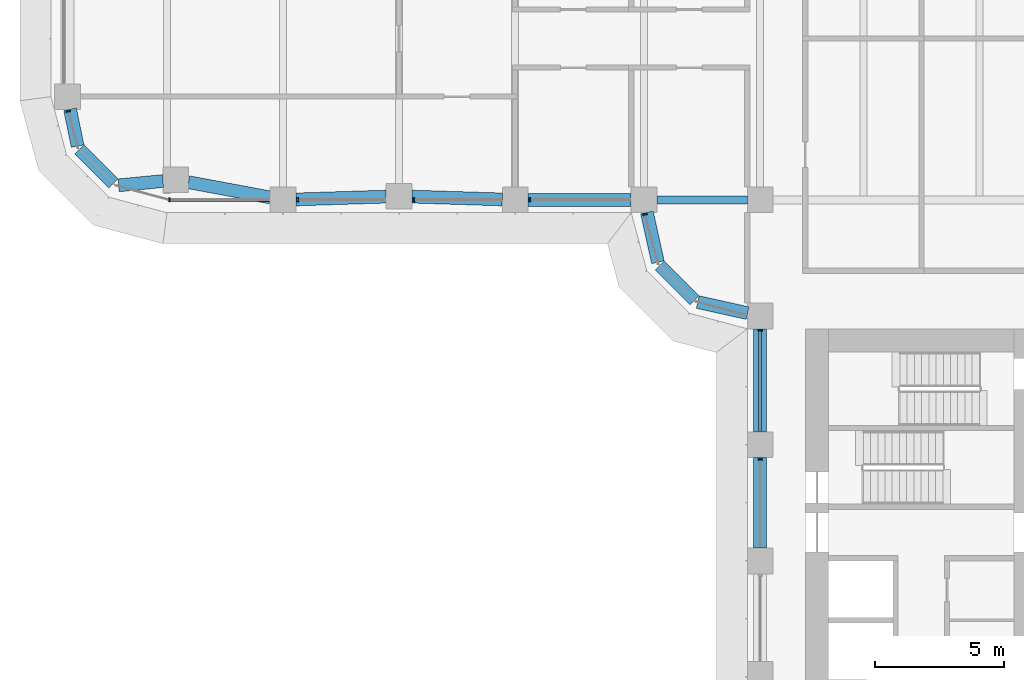
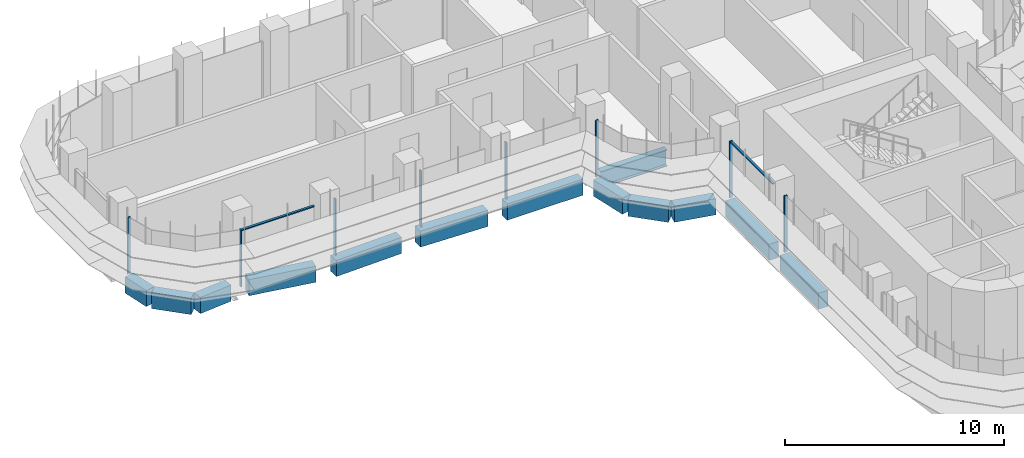
# One storey, part 3 of 23: 13 beams, 10 members, 4 elements without a shape of their own.
"""IFC4 building model written with IfcOpenShell, lengths in metres."""

import ifcopenshell
import ifcopenshell.guid

model = None  # the IFC model being written
_history = None  # IfcOwnerHistory: only IFC2X3 demands one
_inside = {}  # id of a spatial element -> (the spatial element, [elements in it])
_under = {}  # id of a project, library or spatial element -> (it, [spatial elements below it])
_declared = {}  # id of a project -> (the project, [libraries it declares])
_typed = {}  # id of a type object -> (the type object, [elements of that type])
_made_of = {}  # id of a material, layer set ... -> (it, [elements and type objects made of it])


def new_model(schema):
    """Start an empty IFC model of exactly this schema.

    Asked for "IFC4X3", IfcOpenShell would pick the latest addendum, in which some entities
    have other attributes; the version numbers below select the first issue.
    IFC2X3 requires an IfcOwnerHistory on every rooted entity: one is made here for all.
    """
    global model, _history
    if schema == "IFC4X3":
        model = ifcopenshell.file(schema_version=(4, 3, 0, 0))
    else:
        model = ifcopenshell.file(schema=schema)
    _inside.clear()
    _under.clear()
    _declared.clear()
    _typed.clear()
    _made_of.clear()
    _history = None
    if model.schema == "IFC2X3":
        org = make("IfcOrganization", Name="unknown")
        user = make(
            "IfcPersonAndOrganization",
            ThePerson=make("IfcPerson", FamilyName="unknown"),
            TheOrganization=org,
        )
        app = make(
            "IfcApplication",
            ApplicationDeveloper=org,
            Version="unknown",
            ApplicationFullName="unknown",
            ApplicationIdentifier="unknown",
        )
        _history = make(
            "IfcOwnerHistory",
            OwningUser=user,
            OwningApplication=app,
            ChangeAction="ADDED",
            CreationDate=0,
        )
    return model


def make(cls, **values):
    """One entity of the class cls with the attributes given. An attribute that is None is left unset."""
    return model.create_entity(
        cls, **{name: value for name, value in values.items() if value is not None}
    )


def rooted(cls, **values):
    """An entity with a GlobalId (a new one), such as an element, a storey or a relation."""
    return make(cls, GlobalId=ifcopenshell.guid.new(), OwnerHistory=_history, **values)


def si_unit(unit_type, name, prefix=None):
    """IfcSIUnit, for example si_unit("LENGTHUNIT", "METRE", prefix="MILLI")."""
    return make("IfcSIUnit", UnitType=unit_type, Prefix=prefix, Name=name)


def assignment(units):
    """IfcUnitAssignment: the units of a project."""
    return None if units is None else make("IfcUnitAssignment", Units=units)


def point(xyz):
    """IfcCartesianPoint."""
    return None if xyz is None else make("IfcCartesianPoint", Coordinates=xyz)


def direction(xyz):
    """IfcDirection."""
    return None if xyz is None else make("IfcDirection", DirectionRatios=xyz)


def frame(location, z_axis=None, x_axis=None):
    """IfcAxis2Placement3D, a coordinate frame: its origin and axes. An axis left out is left unset."""
    return make(
        "IfcAxis2Placement3D",
        Location=point(location),
        Axis=direction(z_axis),
        RefDirection=direction(x_axis),
    )


def frame_2d(location, x_axis=None):
    """IfcAxis2Placement2D, a coordinate frame in the plane: its origin and x axis."""
    return make(
        "IfcAxis2Placement2D", Location=point(location), RefDirection=direction(x_axis)
    )


def origin():
    """The frame at (0, 0, 0) with its axes left unset."""
    return frame((0.0, 0.0, 0.0))


def origin_2d():
    """The frame at (0, 0) in the plane with its x axis left unset."""
    return frame_2d((0.0, 0.0))


def place(relative_to, where):
    """IfcLocalPlacement: puts the frame where relative to a parent placement (None: the world)."""
    return make(
        "IfcLocalPlacement", PlacementRelTo=relative_to, RelativePlacement=where
    )


def context(
    kind, dimensions, precision=None, world=None, true_north=None, identifier=None
):
    """IfcGeometricRepresentationContext, for example the 3D "Model" context."""
    return make(
        "IfcGeometricRepresentationContext",
        ContextIdentifier=identifier,
        ContextType=kind,
        CoordinateSpaceDimension=dimensions,
        Precision=precision,
        WorldCoordinateSystem=world,
        TrueNorth=true_north,
    )


def subcontext(parent, identifier, kind, view, scale=None):
    """IfcGeometricRepresentationSubContext, for example "Body" below "Model"."""
    return make(
        "IfcGeometricRepresentationSubContext",
        ContextIdentifier=identifier,
        ContextType=kind,
        ParentContext=parent,
        TargetScale=scale,
        TargetView=view,
    )


def project(units=None, contexts=None):
    """IfcProject with its units and contexts."""
    return rooted(
        "IfcProject",
        Name="project",
        RepresentationContexts=contexts,
        UnitsInContext=assignment(units),
    )


def spatial(cls, under=None, at=None, **own):
    """A site, building, storey or space (cls), placed at a placement, below another one or the project."""
    s = rooted(cls, ObjectPlacement=at, **own)
    if under is not None:
        _under.setdefault(under.id(), (under, []))[1].append(s)
    return s


def polyline(points):
    """IfcPolyline through the points."""
    return make("IfcPolyline", Points=[point(p) for p in points])


def profile(cls, at=None, kind="AREA", **sizes):
    """A parametric profile (cls). Its sizes go by their IFC names, for example OverallWidth=200.0."""
    return make(cls, ProfileType=kind, Position=at, **sizes)


def rectangle(**sizes):
    """IfcRectangleProfileDef."""
    return profile("IfcRectangleProfileDef", **sizes)


def i_section(**sizes):
    """IfcIShapeProfileDef."""
    return profile("IfcIShapeProfileDef", **sizes)


def outline(outer, holes=None, kind="AREA"):
    """IfcArbitraryClosedProfileDef: a profile drawn as a closed curve; with holes, ...WithVoids."""
    if holes is None:
        return make("IfcArbitraryClosedProfileDef", ProfileType=kind, OuterCurve=outer)
    return make(
        "IfcArbitraryProfileDefWithVoids",
        ProfileType=kind,
        OuterCurve=outer,
        InnerCurves=holes,
    )


def extrude(swept, where, along, depth):
    """IfcExtrudedAreaSolid: the profile swept, set in the frame where, extruded along a direction by depth."""
    return make(
        "IfcExtrudedAreaSolid",
        SweptArea=swept,
        Position=where,
        ExtrudedDirection=direction(along),
        Depth=depth,
    )


def shape(context_of_items, identifier, shape_type, items):
    """IfcShapeRepresentation: the items that make up one representation, for example the "Body"."""
    return make(
        "IfcShapeRepresentation",
        ContextOfItems=context_of_items,
        RepresentationIdentifier=identifier,
        RepresentationType=shape_type,
        Items=items,
    )


def source(mapping_origin, context_of_items, identifier, shape_type, items):
    """IfcRepresentationMap: a shape defined once, which mapped items show again and again."""
    return make(
        "IfcRepresentationMap",
        MappingOrigin=mapping_origin,
        MappedRepresentation=shape(context_of_items, identifier, shape_type, items),
    )


def transform(
    local_origin,
    x_axis=None,
    y_axis=None,
    z_axis=None,
    scale=None,
    scale2=None,
    scale3=None,
    uniform=True,
):
    """IfcCartesianTransformationOperator3D, or its non-uniform kind. x_axis, y_axis, z_axis: its Axis1, 2, 3."""
    if uniform:
        return make(
            "IfcCartesianTransformationOperator3D",
            Axis1=direction(x_axis),
            Axis2=direction(y_axis),
            LocalOrigin=point(local_origin),
            Scale=scale,
            Axis3=direction(z_axis),
        )
    return make(
        "IfcCartesianTransformationOperator3DnonUniform",
        Axis1=direction(x_axis),
        Axis2=direction(y_axis),
        LocalOrigin=point(local_origin),
        Scale=scale,
        Axis3=direction(z_axis),
        Scale2=scale2,
        Scale3=scale3,
    )


def mapped(mapping_source, mapping_target):
    """IfcMappedItem: shows the shape of a source again, moved by a transform."""
    return make(
        "IfcMappedItem", MappingSource=mapping_source, MappingTarget=mapping_target
    )


def material(Name=None, Category=None):
    """IfcMaterial."""
    return make("IfcMaterial", Name=Name, Category=Category)


def material_profile(
    of_material, cross_section, Name=None, Category=None, Priority=None
):
    """IfcMaterialProfile: a cross section and its material."""
    return make(
        "IfcMaterialProfile",
        Name=Name,
        Material=of_material,
        Profile=cross_section,
        Priority=Priority,
        Category=Category,
    )


def profile_set(profiles, Name=None, composite=None):
    """IfcMaterialProfileSet."""
    return make(
        "IfcMaterialProfileSet",
        Name=Name,
        MaterialProfiles=profiles,
        CompositeProfile=composite,
    )


def made_of(thing, what):
    """Note that an element or type object is made of a material, layer set ...; save() writes the relation."""
    if what is not None:
        _made_of.setdefault(what.id(), (what, []))[1].append(thing)
    return thing


def type_object(cls, material=None, **own):
    """A type object (cls), such as IfcWallType, which elements share."""
    return made_of(rooted(cls, **own), material)


def element(
    cls,
    number,
    at=None,
    inside=None,
    cuts=None,
    type_object=None,
    material=None,
    context=None,
    identifier="Body",
    shape_type=None,
    held_by="IfcProductDefinitionShape",
    body=None,
    shapes=None,
    **own,
):
    """One element of the class cls, such as IfcWall. Its Tag is "e" and its number.

    at: its placement. inside: the storey or other place that contains it. cuts: it is an
    opening in that element (IfcRelVoidsElement). A single representation is given by context,
    identifier, shape_type and body (its items); several are given by shapes. held_by: the class
    of the entity that holds the representations. save() writes the other relations.
    """
    e = rooted(cls, Tag="e%d" % number, ObjectPlacement=at, **own)
    if body is not None:
        shapes = [shape(context, identifier, shape_type, body)]
    if shapes is not None:
        e.Representation = make(held_by, Representations=shapes)
    if inside is not None:
        _inside.setdefault(inside.id(), (inside, []))[1].append(e)
    if cuts is not None:
        rooted(
            "IfcRelVoidsElement", RelatingBuildingElement=cuts, RelatedOpeningElement=e
        )
    if type_object is not None:
        _typed.setdefault(type_object.id(), (type_object, []))[1].append(e)
    return made_of(e, material)


def aggregate(whole, parts):
    """IfcRelAggregates: a whole, such as a stair, and the parts it consists of."""
    return rooted("IfcRelAggregates", RelatingObject=whole, RelatedObjects=parts)


def save(model, path):
    """Write the relations noted so far, then the file.

    IfcRelAggregates (storeys below a building ...), IfcRelContainedInSpatialStructure (elements
    in a storey), IfcRelDefinesByType, IfcRelAssociatesMaterial and IfcRelDeclares: one each for
    every whole, place, type object, material and project.
    """
    for whole, parts in _under.values():
        aggregate(whole, parts)
    for where, things in _inside.values():
        rooted(
            "IfcRelContainedInSpatialStructure",
            RelatedElements=things,
            RelatingStructure=where,
        )
    for kind, things in _typed.values():
        rooted("IfcRelDefinesByType", RelatedObjects=things, RelatingType=kind)
    for what, things in _made_of.values():
        rooted("IfcRelAssociatesMaterial", RelatedObjects=things, RelatingMaterial=what)
    for by, libraries in _declared.values():
        rooted("IfcRelDeclares", RelatingContext=by, RelatedDefinitions=libraries)
    model.write(path)


model = new_model("IFC4")

# Units and contexts
model_context = context("Model", 3, precision=1e-05, world=origin(), true_north=direction((0.0, 1.0)))
body_context = subcontext(model_context, "Body", "Model", "MODEL_VIEW")
ifc_project = project(units=[si_unit("LENGTHUNIT", "METRE"), si_unit("AREAUNIT", "SQUARE_METRE"), si_unit("VOLUMEUNIT", "CUBIC_METRE"), si_unit("PLANEANGLEUNIT", "RADIAN"), si_unit("MASSUNIT", "GRAM", prefix="KILO")], contexts=[model_context])

# Site, building, storey
site_placement = place(None, origin())
site = spatial("IfcSite", under=ifc_project, at=site_placement, CompositionType="ELEMENT")
building_placement = place(site_placement, origin())
building = spatial("IfcBuilding", under=site, at=building_placement, Name="Zarbagh Exchange Tower", CompositionType="ELEMENT")
storey_placement = place(building_placement, frame((0.0, 0.0, 56.39990234375)))
storey = spatial("IfcBuildingStorey", under=building, at=storey_placement, Name="L12", CompositionType="ELEMENT", Elevation=56.39990234375)

# Beams
ifc_material_1 = material(Name="Steel ASTM A992 Gr 50", Category="steel")
ifc_material_profile_1 = material_profile(ifc_material_1, i_section(OverallWidth=0.3046875, OverallDepth=0.91943359375, WebThickness=0.017333984375, FlangeThickness=0.02783203125, at=origin_2d()), Name="W36X170")
ifc_profile_set_1 = profile_set([ifc_material_profile_1], Name="Steel ASTM A992 Gr 50")
beam_type_1 = type_object("IfcBeamType", Name="Floor girder W36X170", PredefinedType="BEAM", material=ifc_profile_set_1)
beam_1_placement = place(storey_placement, frame((-10.25, -6.25, -0.609619140625), z_axis=(1.0, 0.0, 0.0), x_axis=(0.0, 1.0, 0.0)))
element("IfcBeam", 1, at=beam_1_placement, inside=storey, type_object=beam_type_1, Name="Steel girder", PredefinedType="BEAM", context=body_context, shape_type="SweptSolid", body=[
    extrude(i_section(OverallWidth=0.3046875, OverallDepth=0.91943359375, WebThickness=0.017333984375, FlangeThickness=0.02783203125, at=origin_2d()), origin(), (0.0, 0.0, 1.0), 3.5),
])
ifc_material_2 = material(Name="Concrete C60/75", Category="concrete")
ifc_material_profile_2 = material_profile(ifc_material_2, rectangle(XDim=0.5, YDim=0.89990234375, at=origin_2d()), Name="RC spandrel beam 500 x 900 C60/75")
ifc_profile_set_2 = profile_set([ifc_material_profile_2], Name="Concrete C60/75")
beam_type_2 = type_object("IfcBeamType", Name="RC spandrel beam 500 x 900 C60/75", PredefinedType="SPANDREL", material=ifc_profile_set_2)
beam_2_placement = place(storey_placement, frame((-6.25, -19.75, -0.599853515625), z_axis=(0.0, 1.0, 0.0), x_axis=(-1.0, 0.0, 0.0)))
element("IfcBeam", 2, at=beam_2_placement, inside=storey, type_object=beam_type_2, Name="RC spandrel beam", PredefinedType="SPANDREL", context=body_context, shape_type="SweptSolid", body=[
    extrude(rectangle(XDim=0.5, YDim=0.89990234375, at=origin_2d()), origin(), (0.0, 0.0, 1.0), 3.5),
])
beam_3_placement = place(storey_placement, frame((-6.25, -15.25, -0.599853515625), z_axis=(0.0, 1.0, 0.0), x_axis=(-1.0, 0.0, 0.0)))
element("IfcBeam", 3, at=beam_3_placement, inside=storey, type_object=beam_type_2, Name="RC spandrel beam", PredefinedType="SPANDREL", context=body_context, shape_type="SweptSolid", body=[
    extrude(rectangle(XDim=0.5, YDim=0.89990234375, at=origin_2d()), origin(), (0.0, 0.0, 1.0), 4.0),
])
beam_4_placement = place(storey_placement, frame((-6.73828125, -10.64208984375, -0.599853515625), z_axis=(-0.976375426825, 0.216081063242, 0.0), x_axis=(-0.216081063242, -0.976375426825, 0.0)))
element("IfcBeam", 4, at=beam_4_placement, inside=storey, type_object=beam_type_2, Name="RC spandrel beam", PredefinedType="SPANDREL", context=body_context, shape_type="SweptSolid", body=[
    extrude(rectangle(XDim=0.5, YDim=0.89990234375, at=origin_2d()), origin(), (0.0, 0.0, 1.0), 1.978271484375),
])
beam_5_placement = place(storey_placement, frame((-8.792724609375, -10.147216796875, -0.599853515625), z_axis=(-0.707106781187, 0.707106781187, 0.0), x_axis=(-0.707106781187, -0.707106781187, 0.0)))
element("IfcBeam", 5, at=beam_5_placement, inside=storey, type_object=beam_type_2, Name="RC spandrel beam", PredefinedType="SPANDREL", context=body_context, shape_type="SweptSolid", body=[
    extrude(rectangle(XDim=0.5, YDim=0.89990234375, at=origin_2d()), origin(), (0.0, 0.0, 1.0), 1.91552734375),
])
beam_6_placement = place(storey_placement, frame((-10.214599609375, -8.669921875, -0.599853515625), z_axis=(-0.216081063242, 0.976375426825, 0.0), x_axis=(-0.976375426825, -0.216081063242, 0.0)))
element("IfcBeam", 6, at=beam_6_placement, inside=storey, type_object=beam_type_2, Name="RC spandrel beam", PredefinedType="SPANDREL", context=body_context, shape_type="SweptSolid", body=[
    extrude(rectangle(XDim=0.5, YDim=0.89990234375, at=origin_2d()), origin(), (0.0, 0.0, 1.0), 1.978271484375),
])
beam_7_placement = place(storey_placement, frame((-11.25, -6.25, -0.599853515625), z_axis=(-1.0, 0.0, 0.0), x_axis=(0.0, -1.0, 0.0)))
element("IfcBeam", 7, at=beam_7_placement, inside=storey, type_object=beam_type_2, Name="RC spandrel beam", PredefinedType="SPANDREL", context=body_context, shape_type="SweptSolid", body=[
    extrude(rectangle(XDim=0.5, YDim=0.89990234375, at=origin_2d()), origin(), (0.0, 0.0, 1.0), 4.0),
])
for number, where, z_axis, x_axis, name in (
    (8, (-16.249755859375, -6.234619140625, -0.599853515625), (-0.999514385708, 0.031160756759, 0.0), (-0.031160756759, -0.999514385708, 0.0), "RC spandrel beam"),
    (9, (-20.749755859375, -6.12548828125, -0.599853515625), (-0.999514385708, -0.031160756759, 0.0), (0.031160756759, -0.999514385708, 0.0), "RC spandrel beam"),
):
    element("IfcBeam", number, at=place(storey_placement, frame(where, z_axis=z_axis, x_axis=x_axis)), inside=storey, type_object=beam_type_2, Name=name, PredefinedType="SPANDREL", context=body_context, shape_type="SweptSolid", body=[
        extrude(rectangle(XDim=0.5, YDim=0.89990234375, at=origin_2d()), origin(), (0.0, 0.0, 1.0), 3.502197265625),
    ])
beam_8_placement = place(storey_placement, frame((-25.241455078125, -6.158447265625, -0.599853515625), z_axis=(-0.983069300761, 0.183234139565, 0.0), x_axis=(-0.183234139565, -0.983069300761, 0.0)))
element("IfcBeam", 10, at=beam_8_placement, inside=storey, type_object=beam_type_2, Name="RC spandrel beam", PredefinedType="SPANDREL", context=body_context, shape_type="SweptSolid", body=[
    extrude(rectangle(XDim=0.5, YDim=0.89990234375, at=origin_2d()), origin(), (0.0, 0.0, 1.0), 3.229736328125),
])
beam_9_placement = place(storey_placement, frame((-29.40576171875, -5.522705078125, -0.599853515625), z_axis=(-0.995431032456, -0.095483294999, 0.0), x_axis=(0.095483294999, -0.995431032456, 0.0)))
element("IfcBeam", 11, at=beam_9_placement, inside=storey, type_object=beam_type_2, Name="RC spandrel beam", PredefinedType="SPANDREL", context=body_context, shape_type="SweptSolid", body=[
    extrude(rectangle(XDim=0.5, YDim=0.89990234375, at=origin_2d()), origin(), (0.0, 0.0, 1.0), 1.725830078125),
])
beam_10_placement = place(storey_placement, frame((-31.324462890625, -5.615478515625, -0.599853515625), z_axis=(-0.707172099812, 0.707041456527, 0.0), x_axis=(-0.707041456527, -0.707172099812, 0.0)))
element("IfcBeam", 12, at=beam_10_placement, inside=storey, type_object=beam_type_2, Name="RC spandrel beam", PredefinedType="SPANDREL", context=body_context, shape_type="SweptSolid", body=[
    extrude(rectangle(XDim=0.5, YDim=0.89990234375, at=origin_2d()), origin(), (0.0, 0.0, 1.0), 1.86865234375),
])
beam_11_placement = place(storey_placement, frame((-32.714111328125, -4.16796875, -0.599853515625), z_axis=(-0.202068589164, 0.9793713725, 0.0), x_axis=(-0.9793713725, -0.202068589164, 0.0)))
element("IfcBeam", 13, at=beam_11_placement, inside=storey, type_object=beam_type_2, Name="RC spandrel beam", PredefinedType="SPANDREL", context=body_context, shape_type="SweptSolid", body=[
    extrude(rectangle(XDim=0.5, YDim=0.89990234375, at=origin_2d()), origin(), (0.0, 0.0, 1.0), 1.458251953125),
])

# Curtain wall, member
ifc_material_3 = material(Name="Anodised aluminium frame and glazing", Category="aluminium")
curtain_wall_type = type_object("IfcCurtainWallType", Name="CWA Ribbon glazing, lower zones", PredefinedType="NOTDEFINED", material=ifc_material_3)
curtain_wall_1_placement = place(storey_placement, origin())
curtain_wall_1 = element("IfcCurtainWall", 14, at=curtain_wall_1_placement, inside=storey, type_object=curtain_wall_type, Name="CWA37 curtain wall", PredefinedType="NOTDEFINED")
ifc_material_4 = material(Name="Anodised aluminium frame", Category="aluminium")
member_type_1 = type_object("IfcMemberType", Name="MUA Mullion, anodised aluminium frame", PredefinedType="MULLION", material=ifc_material_4)
shared_shape_1 = source(origin(), body_context, "Body", "SweptSolid", [
    extrude(outline(polyline([(0.0, -0.080078125), (0.06005859375, -0.080078125), (0.06005859375, 0.080078125), (0.0, 0.080078125), (0.0, -0.080078125)])), origin(), (0.0, 0.0, 1.0), 3.14990234375),
])
placement = place(storey_placement, origin())
member_1 = element("IfcMember", 15, at=placement, type_object=member_type_1, Name="CWA37 mullion 1.1", PredefinedType="MULLION", context=body_context, shape_type="MappedRepresentation", body=[
    mapped(shared_shape_1, transform((-33.087646484375, -2.7900390625, 0.0), x_axis=(0.258824779902, -0.965924289636, 0.0), y_axis=(0.965924289636, 0.258824779902, 0.0), z_axis=(0.0, 0.0, 1.0))),
])
aggregate(curtain_wall_1, [member_1])

# Curtain wall, members
curtain_wall_2_placement = place(storey_placement, origin())
curtain_wall_2 = element("IfcCurtainWall", 16, at=curtain_wall_2_placement, inside=storey, type_object=curtain_wall_type, Name="CWA40 curtain wall", PredefinedType="NOTDEFINED")
member_2 = element("IfcMember", 17, at=placement, type_object=member_type_1, Name="CWA40 mullion 1.1", PredefinedType="MULLION", context=body_context, shape_type="MappedRepresentation", body=[
    mapped(shared_shape_1, transform((-29.18408203125, -6.25, 0.0), x_axis=(1.0, 0.0, 0.0), y_axis=(0.0, 1.0, 0.0), z_axis=(0.0, 0.0, 1.0))),
])
member_3 = element("IfcMember", 18, at=placement, type_object=member_type_1, Name="CWA40 mullion 2.1", PredefinedType="MULLION", context=body_context, shape_type="MappedRepresentation", body=[
    mapped(shared_shape_1, transform((-24.2099609375, -6.25, 0.0), x_axis=(1.0, 0.0, 0.0), y_axis=(0.0, 1.0, 0.0), z_axis=(0.0, 0.0, 1.0))),
])
member_4 = element("IfcMember", 19, at=placement, type_object=member_type_1, Name="CWA40 mullion 3.1", PredefinedType="MULLION", context=body_context, shape_type="MappedRepresentation", body=[
    mapped(shared_shape_1, transform((-19.7099609375, -6.25, 0.0), x_axis=(1.0, 0.0, 0.0), y_axis=(0.0, 1.0, 0.0), z_axis=(0.0, 0.0, 1.0))),
])
member_5 = element("IfcMember", 20, at=placement, type_object=member_type_1, Name="CWA40 mullion 4.1", PredefinedType="MULLION", context=body_context, shape_type="MappedRepresentation", body=[
    mapped(shared_shape_1, transform((-15.2099609375, -6.25, 0.0), x_axis=(1.0, 0.0, 0.0), y_axis=(0.0, 1.0, 0.0), z_axis=(0.0, 0.0, 1.0))),
])

# Curtain wall, member
curtain_wall_3_placement = place(storey_placement, origin())
curtain_wall_3 = element("IfcCurtainWall", 21, at=curtain_wall_3_placement, inside=storey, type_object=curtain_wall_type, Name="CWA41 curtain wall", PredefinedType="NOTDEFINED")
member_6 = element("IfcMember", 22, at=placement, type_object=member_type_1, Name="CWA41 mullion 1.1", PredefinedType="MULLION", context=body_context, shape_type="MappedRepresentation", body=[
    mapped(shared_shape_1, transform((-10.7216796875, -6.7900390625, 0.0), x_axis=(0.258824779902, -0.965924289636, 0.0), y_axis=(0.965924289636, 0.258824779902, 0.0), z_axis=(0.0, 0.0, 1.0))),
])
aggregate(curtain_wall_3, [member_6])

# Curtain wall, members
curtain_wall_4_placement = place(storey_placement, origin())
curtain_wall_4 = element("IfcCurtainWall", 23, at=curtain_wall_4_placement, inside=storey, type_object=curtain_wall_type, Name="CWA44 curtain wall", PredefinedType="NOTDEFINED")
member_7 = element("IfcMember", 24, at=placement, type_object=member_type_1, Name="CWA44 mullion 1.1", PredefinedType="MULLION", context=body_context, shape_type="MappedRepresentation", body=[
    mapped(shared_shape_1, transform((-6.25, -11.2900390625, 0.0), x_axis=(0.0, -1.0, 0.0), y_axis=(1.0, 0.0, 0.0), z_axis=(0.0, 0.0, 1.0))),
])
member_8 = element("IfcMember", 25, at=placement, type_object=member_type_1, Name="CWA44 mullion 2.1", PredefinedType="MULLION", context=body_context, shape_type="MappedRepresentation", body=[
    mapped(shared_shape_1, transform((-6.25, -16.2900390625, 0.0), x_axis=(0.0, -1.0, 0.0), y_axis=(1.0, 0.0, 0.0), z_axis=(0.0, 0.0, 1.0))),
])
member_type_2 = type_object("IfcMemberType", Name="TRA Transom, anodised aluminium frame", PredefinedType="USERDEFINED", material=ifc_material_4)
shared_shape_2 = source(origin(), body_context, "Body", "SweptSolid", [
    extrude(outline(polyline([(-0.06005859375, -0.06005859375), (0.0, -0.06005859375), (0.0, 0.06005859375), (-0.06005859375, 0.06005859375), (-0.06005859375, -0.06005859375)])), origin(), (0.0, 0.0, 1.0), 3.860107421875),
])
member_9 = element("IfcMember", 26, at=placement, type_object=member_type_2, Name="CWA44 transom 1.1", ObjectType="TRANSOM", PredefinedType="USERDEFINED", context=body_context, shape_type="MappedRepresentation", body=[
    mapped(shared_shape_2, transform((-6.25, -11.35009765625, 3.150146484375), x_axis=(0.0, 0.0, 1.0), y_axis=(-1.0, 0.0, 0.0), z_axis=(0.0, -1.0, 0.0))),
])
aggregate(curtain_wall_4, [member_7, member_9, member_8])

# Member
shared_shape_3 = source(origin(), body_context, "Body", "SweptSolid", [
    extrude(outline(polyline([(-0.06005859375, -0.06005859375), (0.0, -0.06005859375), (0.0, 0.06005859375), (-0.06005859375, 0.06005859375), (-0.06005859375, -0.06005859375)])), origin(), (0.0, 0.0, 1.0), 3.834228515625),
])
member_10 = element("IfcMember", 27, at=placement, type_object=member_type_2, Name="CWA40 transom 1.1", ObjectType="TRANSOM", PredefinedType="USERDEFINED", context=body_context, shape_type="MappedRepresentation", body=[
    mapped(shared_shape_3, transform((-29.124267578125, -6.25, 3.150146484375), x_axis=(0.0, 0.0, 1.0), y_axis=(0.0, -1.0, 0.0), z_axis=(1.0, 0.0, 0.0))),
])

aggregate(curtain_wall_2, [member_2, member_10, member_3, member_4, member_5])

save(model, "model.ifc")
